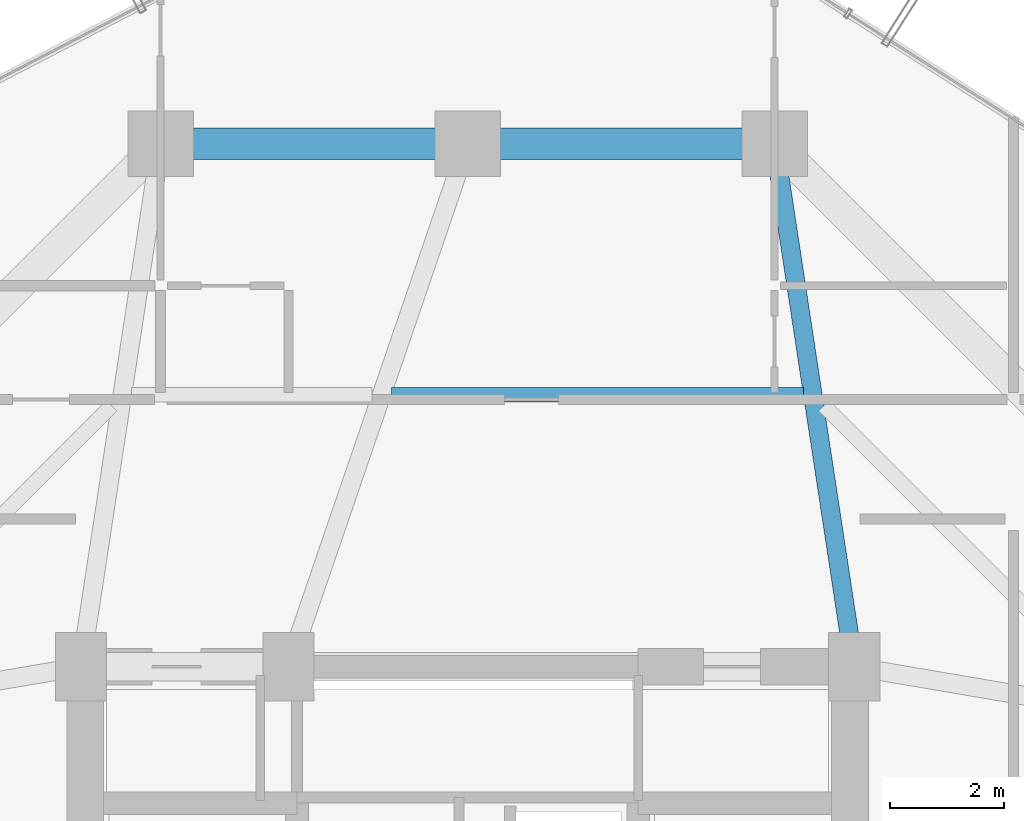
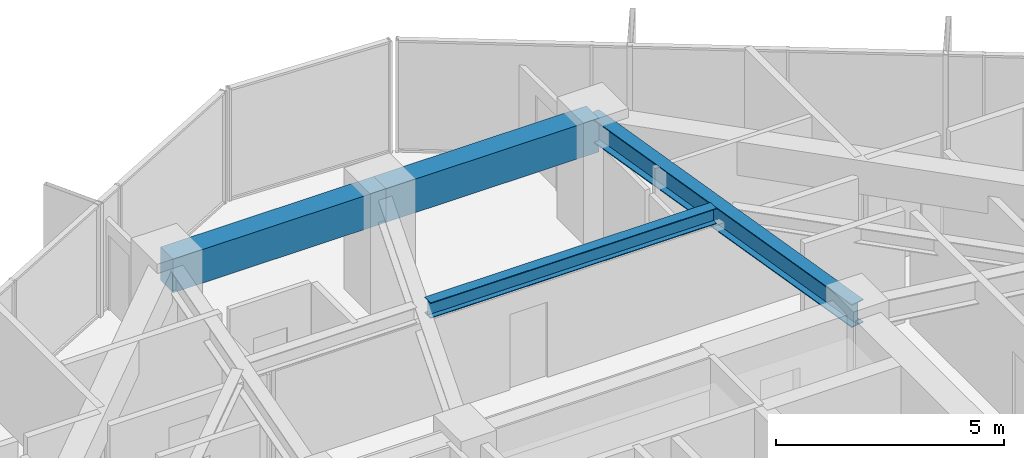
# One storey, part 20 of 30: 4 beams.
"""IFC4 building model written with IfcOpenShell, lengths in metres."""

from ifc_helpers import new_model, si_unit, direction, frame, origin, origin_2d, place, context, subcontext, project, spatial, rectangle, i_section, extrude, material, material_profile, profile_set, type_object, element, save


model = new_model("IFC4")

# Units and contexts
model_context = context("Model", 3, precision=1e-05, world=origin(), true_north=direction((0.0, 1.0)))
body_context = subcontext(model_context, "Body", "Model", "MODEL_VIEW")
ifc_project = project(units=[si_unit("LENGTHUNIT", "METRE"), si_unit("AREAUNIT", "SQUARE_METRE"), si_unit("VOLUMEUNIT", "CUBIC_METRE"), si_unit("PLANEANGLEUNIT", "RADIAN"), si_unit("MASSUNIT", "GRAM", prefix="KILO")], contexts=[model_context])

# Site, building, storey
site_placement = place(None, origin())
site = spatial("IfcSite", under=ifc_project, at=site_placement, CompositionType="ELEMENT")
building_placement = place(site_placement, origin())
building = spatial("IfcBuilding", under=site, at=building_placement, Name="Veraguas Prism Commons", CompositionType="ELEMENT")
storey_placement = place(building_placement, frame((0.0, 0.0, 119.75)))
storey = spatial("IfcBuildingStorey", under=building, at=storey_placement, Name="L33", CompositionType="ELEMENT", Elevation=119.75)

# Beams
ifc_material_1 = material(Name="Steel ASTM A992 Grade 50", Category="steel")
ifc_material_profile_1 = material_profile(ifc_material_1, i_section(OverallWidth=0.260986328125, OverallDepth=0.419921875, WebThickness=0.01171875, FlangeThickness=0.019287109375, at=origin_2d()), Name="W410X114")
ifc_profile_set_1 = profile_set([ifc_material_profile_1], Name="Steel ASTM A992 Grade 50")
beam_type_1 = type_object("IfcBeamType", Name="Lower Floor Joist W410x114", PredefinedType="JOIST", material=ifc_profile_set_1)
beam_1_placement = place(storey_placement, frame((29.908203125, 35.783935546875, 2.7900390625), z_axis=(-1.0, 0.0, 0.0), x_axis=(0.0, -1.0, 0.0)))
element("IfcBeam", 1, at=beam_1_placement, inside=storey, type_object=beam_type_1, Name="Composite Floor Joist L33-JS04", PredefinedType="JOIST", context=body_context, shape_type="SweptSolid", body=[
    extrude(i_section(OverallWidth=0.260986328125, OverallDepth=0.419921875, WebThickness=0.01171875, FlangeThickness=0.019287109375, at=origin_2d()), origin(), (0.0, 0.0, 1.0), 7.2490234375),
])
ifc_material_2 = material(Name="Concrete C50/60", Category="concrete")
ifc_material_profile_2 = material_profile(ifc_material_2, rectangle(XDim=0.550048828125, YDim=0.89990234375, at=origin_2d()), Name="RC550X900")
ifc_profile_set_2 = profile_set([ifc_material_profile_2], Name="Concrete C50/60")
beam_type_2 = type_object("IfcBeamType", Name="Perimeter Spandrel Lower RC 550x900", PredefinedType="SPANDREL", material=ifc_profile_set_2)
for number, where, z_axis, x_axis, name in (
    (2, (29.39990234375, 40.199951171875, 2.550048828125), (-1.0, 0.0, 0.0), (0.0, -1.0, 0.0), "Perimeter Spandrel Beam L33-SP04"),
    (3, (24.0, 40.199951171875, 2.550048828125), (-1.0, 0.0, 0.0), (0.0, -1.0, 0.0), "Perimeter Spandrel Beam L33-SP05"),
):
    element("IfcBeam", number, at=place(storey_placement, frame(where, z_axis=z_axis, x_axis=x_axis)), inside=storey, type_object=beam_type_2, Name=name, PredefinedType="SPANDREL", context=body_context, shape_type="SweptSolid", body=[
        extrude(rectangle(XDim=0.550048828125, YDim=0.89990234375, at=origin_2d()), origin(), (0.0, 0.0, 1.0), 5.39990234375),
    ])
ifc_material_profile_3 = material_profile(ifc_material_1, i_section(OverallWidth=0.327880859375, OverallDepth=0.6220703125, WebThickness=0.015380859375, FlangeThickness=0.0244140625, at=origin_2d()), Name="W610X195")
ifc_profile_set_3 = profile_set([ifc_material_profile_3], Name="Steel ASTM A992 Grade 50")
beam_type_3 = type_object("IfcBeamType", Name="Zone 2 Radial Girder W610x195", PredefinedType="BEAM", material=ifc_profile_set_3)
beam_2_placement = place(storey_placement, frame((29.39990234375, 40.199951171875, 2.68896484375), z_axis=(0.150458162136, -0.98861637729, 0.0), x_axis=(0.98861637729, 0.150458162136, 0.0)))
element("IfcBeam", 4, at=beam_2_placement, inside=storey, type_object=beam_type_3, Name="Radial Floor Girder L33-RD04", PredefinedType="BEAM", context=body_context, shape_type="SweptSolid", body=[
    extrude(i_section(OverallWidth=0.327880859375, OverallDepth=0.6220703125, WebThickness=0.015380859375, FlangeThickness=0.0244140625, at=origin_2d()), origin(), (0.0, 0.0, 1.0), 9.305908203125),
])

save(model, "model.ifc")
